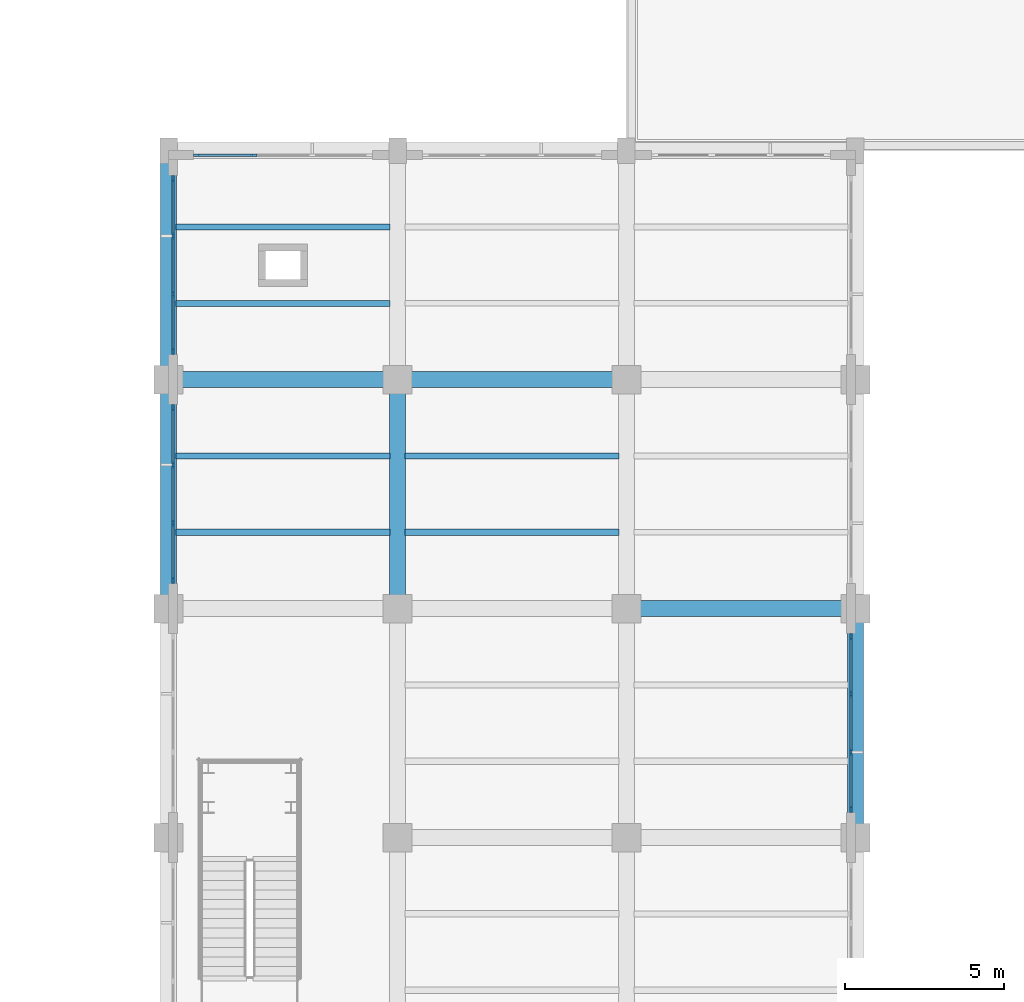
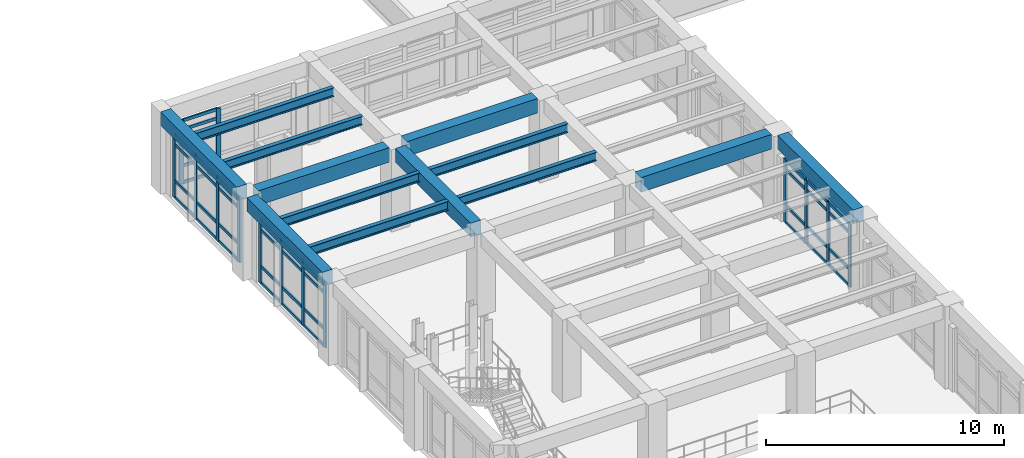
# One storey, part 19 of 69: 54 members, 13 beams, 4 elements without a shape of their own.
"""IFC4 building model written with IfcOpenShell, lengths in metres."""

from ifc_helpers import new_model, si_unit, direction, frame, origin, origin_2d, place, context, subcontext, project, spatial, rectangle, i_section, extrude, material, layer, layer_set, material_profile, profile_set, type_object, element, aggregate, save


model = new_model("IFC4")

# Units and contexts
model_context = context("Model", 3, precision=1e-05, world=origin(), true_north=direction((0.0, 1.0)))
body_context = subcontext(model_context, "Body", "Model", "MODEL_VIEW")
ifc_project = project(units=[si_unit("LENGTHUNIT", "METRE"), si_unit("AREAUNIT", "SQUARE_METRE"), si_unit("VOLUMEUNIT", "CUBIC_METRE"), si_unit("PLANEANGLEUNIT", "RADIAN"), si_unit("MASSUNIT", "GRAM", prefix="KILO")], contexts=[model_context])

# Site, building, storey
site_placement = place(None, origin())
site = spatial("IfcSite", under=ifc_project, at=site_placement, CompositionType="ELEMENT")
building_placement = place(site_placement, origin())
building = spatial("IfcBuilding", under=site, at=building_placement, Name="Solenvale Faculty of Natural Sciences", CompositionType="ELEMENT")
storey_placement = place(building_placement, frame((0.0, 0.0, 4.5)))
storey = spatial("IfcBuildingStorey", under=building, at=storey_placement, Name="L01", CompositionType="ELEMENT", Elevation=4.5)

# Beams
ifc_material_1 = material(Name="Concrete 40 MPa", Category="concrete")
ifc_material_profile_1 = material_profile(ifc_material_1, rectangle(XDim=0.5, YDim=0.699951171875, at=origin_2d()), Name="RC-BM-500x700")
ifc_profile_set_1 = profile_set([ifc_material_profile_1], Name="Concrete 40 MPa")
beam_type_1 = type_object("IfcBeamType", Name="BM-RC-500x700", PredefinedType="BEAM", material=ifc_profile_set_1)
beam_1_placement = place(storey_placement, frame((36.0, 79.6298828125, 3.8701171875), z_axis=(0.0, 1.0, 0.0), x_axis=(-1.0, 0.0, 0.0)))
element("IfcBeam", 1, at=beam_1_placement, inside=storey, type_object=beam_type_1, Name="L01 Y-Girder X36.0 (79.2..86.4)", PredefinedType="BEAM", context=body_context, shape_type="SweptSolid", body=[
    extrude(rectangle(XDim=0.5, YDim=0.699951171875, at=origin_2d()), origin(), (0.0, 0.0, 1.0), 6.340087890625),
])
beam_2_placement = place(storey_placement, frame((36.0, 86.830078125, 3.8701171875), z_axis=(0.0, 1.0, 0.0), x_axis=(-1.0, 0.0, 0.0)))
element("IfcBeam", 2, at=beam_2_placement, inside=storey, type_object=beam_type_1, Name="L01 Y-Girder X36.0 (86.4..93.6)", PredefinedType="BEAM", context=body_context, shape_type="SweptSolid", body=[
    extrude(rectangle(XDim=0.5, YDim=0.699951171875, at=origin_2d()), origin(), (0.0, 0.0, 1.0), 6.389892578125),
])
for number, where, z_axis, x_axis, name in (
    (3, (43.199951171875, 79.6298828125, 3.8701171875), (0.0, 1.0, 0.0), (-1.0, 0.0, 0.0), "L01 Y-Girder X43.2 (79.2..86.4)"),
    (4, (57.60009765625, 72.429931640625, 3.8701171875), (0.0, 1.0, 0.0), (-1.0, 0.0, 0.0), "L01 Y-Girder X57.6 (72.0..79.2)"),
):
    element("IfcBeam", number, at=place(storey_placement, frame(where, z_axis=z_axis, x_axis=x_axis)), inside=storey, type_object=beam_type_1, Name=name, PredefinedType="BEAM", context=body_context, shape_type="SweptSolid", body=[
        extrude(rectangle(XDim=0.5, YDim=0.699951171875, at=origin_2d()), origin(), (0.0, 0.0, 1.0), 6.340087890625),
    ])
ifc_material_profile_2 = material_profile(ifc_material_1, rectangle(XDim=0.5, YDim=0.75, at=origin_2d()), Name="RC-BM-500x750")
ifc_profile_set_2 = profile_set([ifc_material_profile_2], Name="Concrete 40 MPa")
beam_type_2 = type_object("IfcBeamType", Name="BM-RC-500x750", PredefinedType="BEAM", material=ifc_profile_set_2)
beam_3_placement = place(storey_placement, frame((50.830078125, 79.199951171875, 3.844970703125), z_axis=(1.0, 0.0, 0.0), x_axis=(0.0, 1.0, 0.0)))
element("IfcBeam", 5, at=beam_3_placement, inside=storey, type_object=beam_type_2, Name="L01 X-Girder Y79.2 (50.4..57.6)", PredefinedType="BEAM", context=body_context, shape_type="SweptSolid", body=[
    extrude(rectangle(XDim=0.5, YDim=0.75, at=origin_2d()), origin(), (0.0, 0.0, 1.0), 6.33984375),
])
for number, where, z_axis, x_axis, name in (
    (6, (36.429931640625, 86.39990234375, 3.844970703125), (1.0, 0.0, 0.0), (0.0, 1.0, 0.0), "L01 X-Girder Y86.4 (36.0..43.2)"),
    (7, (43.6298828125, 86.39990234375, 3.844970703125), (1.0, 0.0, 0.0), (0.0, 1.0, 0.0), "L01 X-Girder Y86.4 (43.2..50.4)"),
):
    element("IfcBeam", number, at=place(storey_placement, frame(where, z_axis=z_axis, x_axis=x_axis)), inside=storey, type_object=beam_type_2, Name=name, PredefinedType="BEAM", context=body_context, shape_type="SweptSolid", body=[
        extrude(rectangle(XDim=0.5, YDim=0.75, at=origin_2d()), origin(), (0.0, 0.0, 1.0), 6.340087890625),
    ])
ifc_material_2 = material(Name="Steel S355", Category="steel")
ifc_material_profile_3 = material_profile(ifc_material_2, i_section(OverallWidth=0.194091796875, OverallDepth=0.468994140625, WebThickness=0.0126953125, FlangeThickness=0.0205078125, FilletRadius=0.01806640625, at=origin_2d()), Name="W460x106")
ifc_profile_set_3 = profile_set([ifc_material_profile_3], Name="Steel S355")
beam_type_3 = type_object("IfcBeamType", Name="BM-STL-W460x106", PredefinedType="JOIST", material=ifc_profile_set_3)
for number, where, z_axis, x_axis, name in (
    (8, (36.22998046875, 81.60009765625, 3.985595703125), (1.0, 0.0, 0.0), (0.0, 1.0, 0.0), "L01 Composite Floor Joist (6,12).1"),
    (9, (36.22998046875, 84.0, 3.985595703125), (1.0, 0.0, 0.0), (0.0, 1.0, 0.0), "L01 Composite Floor Joist (6,12).2"),
):
    element("IfcBeam", number, at=place(storey_placement, frame(where, z_axis=z_axis, x_axis=x_axis)), inside=storey, type_object=beam_type_3, Name=name, PredefinedType="JOIST", context=body_context, shape_type="SweptSolid", body=[
        extrude(i_section(OverallWidth=0.194091796875, OverallDepth=0.468994140625, WebThickness=0.0126953125, FlangeThickness=0.0205078125, FilletRadius=0.01806640625, at=origin_2d()), origin(), (0.0, 0.0, 1.0), 6.739990234375),
    ])
ifc_material_profile_4 = material_profile(ifc_material_2, i_section(OverallWidth=0.19091796875, OverallDepth=0.4599609375, WebThickness=0.010009765625, FlangeThickness=0.01611328125, FilletRadius=0.01806640625, at=origin_2d()), Name="W460x82")
ifc_profile_set_4 = profile_set([ifc_material_profile_4], Name="Steel S355")
beam_type_4 = type_object("IfcBeamType", Name="BM-STL-W460x82", PredefinedType="JOIST", material=ifc_profile_set_4)
for number, where, z_axis, x_axis, name in (
    (10, (36.22998046875, 88.800048828125, 3.989990234375), (1.0, 0.0, 0.0), (0.0, 1.0, 0.0), "L01 Composite Floor Joist (6,13).1"),
    (11, (36.22998046875, 91.199951171875, 3.989990234375), (1.0, 0.0, 0.0), (0.0, 1.0, 0.0), "L01 Composite Floor Joist (6,13).2"),
    (12, (43.429931640625, 81.60009765625, 3.989990234375), (1.0, 0.0, 0.0), (0.0, 1.0, 0.0), "L01 Composite Floor Joist (7,12).1"),
    (13, (43.429931640625, 84.0, 3.989990234375), (1.0, 0.0, 0.0), (0.0, 1.0, 0.0), "L01 Composite Floor Joist (7,12).2"),
):
    element("IfcBeam", number, at=place(storey_placement, frame(where, z_axis=z_axis, x_axis=x_axis)), inside=storey, type_object=beam_type_4, Name=name, PredefinedType="JOIST", context=body_context, shape_type="SweptSolid", body=[
        extrude(i_section(OverallWidth=0.19091796875, OverallDepth=0.4599609375, WebThickness=0.010009765625, FlangeThickness=0.01611328125, FilletRadius=0.01806640625, at=origin_2d()), origin(), (0.0, 0.0, 1.0), 6.739990234375),
    ])

# Curtain wall, members
ifc_material_3 = material(Name="Anodised bronze aluminium", Category="aluminium")
ifc_layer = layer(ifc_material_3, 0.215087890625)
ifc_layer_set = layer_set([ifc_layer], Name="Anodised bronze aluminium")
curtain_wall_type = type_object("IfcCurtainWallType", Name="CW-ATR-UNIT", PredefinedType="USERDEFINED", material=ifc_layer_set)
curtain_wall_1_placement = place(storey_placement, origin())
curtain_wall_1 = element("IfcCurtainWall", 14, at=curtain_wall_1_placement, inside=storey, type_object=curtain_wall_type, Name="L01 Curtain Wall CW-L01-P1-E12-B5", ObjectType="UNITISED CURTAIN WALL", PredefinedType="USERDEFINED")
ifc_material_profile_5 = material_profile(ifc_material_3, rectangle(XDim=0.074951171875, YDim=0.2099609375, at=origin_2d()), Name="ALU-MUL-75x210")
ifc_profile_set_5 = profile_set([ifc_material_profile_5], Name="Anodised bronze aluminium")
member_type_1 = type_object("IfcMemberType", Name="CWM-ALU-75x210", PredefinedType="MULLION", material=ifc_profile_set_5)
member_1_placement = place(storey_placement, frame((57.45751953125, 72.887451171875, 0.0), z_axis=(0.0, 0.0, 1.0), x_axis=(-1.0, 0.0, 0.0)))
member_1 = element("IfcMember", 15, at=member_1_placement, type_object=member_type_1, Name="CW-01 mullion 1", PredefinedType="MULLION", context=body_context, shape_type="SweptSolid", body=[
    extrude(rectangle(XDim=0.074951171875, YDim=0.2099609375, at=origin_2d()), origin(), (0.0, 0.0, 1.0), 3.260009765625),
])
member_2_placement = place(storey_placement, frame((57.45751953125, 74.683349609375, 0.0), z_axis=(0.0, 0.0, 1.0), x_axis=(-1.0, 0.0, 0.0)))
member_2 = element("IfcMember", 16, at=member_2_placement, type_object=member_type_1, Name="CW-01 mullion 2", PredefinedType="MULLION", context=body_context, shape_type="SweptSolid", body=[
    extrude(rectangle(XDim=0.074951171875, YDim=0.2099609375, at=origin_2d()), origin(), (0.0, 0.0, 1.0), 3.260009765625),
])
member_3_placement = place(storey_placement, frame((57.45751953125, 76.5166015625, 0.0), z_axis=(0.0, 0.0, 1.0), x_axis=(-1.0, 0.0, 0.0)))
member_3 = element("IfcMember", 17, at=member_3_placement, type_object=member_type_1, Name="CW-01 mullion 3", PredefinedType="MULLION", context=body_context, shape_type="SweptSolid", body=[
    extrude(rectangle(XDim=0.074951171875, YDim=0.2099609375, at=origin_2d()), origin(), (0.0, 0.0, 1.0), 3.260009765625),
])
member_4_placement = place(storey_placement, frame((57.45751953125, 78.3125, 0.0), z_axis=(0.0, 0.0, 1.0), x_axis=(-1.0, 0.0, 0.0)))
member_4 = element("IfcMember", 18, at=member_4_placement, type_object=member_type_1, Name="CW-01 mullion 4", PredefinedType="MULLION", context=body_context, shape_type="SweptSolid", body=[
    extrude(rectangle(XDim=0.074951171875, YDim=0.2099609375, at=origin_2d()), origin(), (0.0, 0.0, 1.0), 3.260009765625),
])

curtain_wall_2_placement = place(storey_placement, origin())
curtain_wall_2 = element("IfcCurtainWall", 19, at=curtain_wall_2_placement, inside=storey, type_object=curtain_wall_type, Name="L01 Curtain Wall CW-L01-P1-E13-B3", ObjectType="UNITISED CURTAIN WALL", PredefinedType="USERDEFINED")
member_5_placement = place(storey_placement, frame((38.683349609375, 93.45751953125, 0.0), z_axis=(0.0, 0.0, 1.0), x_axis=(0.0, -1.0, 0.0)))
member_5 = element("IfcMember", 20, at=member_5_placement, type_object=member_type_1, Name="CW-01 mullion 3", PredefinedType="MULLION", context=body_context, shape_type="SweptSolid", body=[
    extrude(rectangle(XDim=0.074951171875, YDim=0.2099609375, at=origin_2d()), origin(), (0.0, 0.0, 1.0), 3.260009765625),
])
member_6_placement = place(storey_placement, frame((36.887451171875, 93.45751953125, 0.0), z_axis=(0.0, 0.0, 1.0), x_axis=(0.0, -1.0, 0.0)))
member_6 = element("IfcMember", 21, at=member_6_placement, type_object=member_type_1, Name="CW-01 mullion 4", PredefinedType="MULLION", context=body_context, shape_type="SweptSolid", body=[
    extrude(rectangle(XDim=0.074951171875, YDim=0.2099609375, at=origin_2d()), origin(), (0.0, 0.0, 1.0), 3.260009765625),
])

curtain_wall_3_placement = place(storey_placement, origin())
curtain_wall_3 = element("IfcCurtainWall", 22, at=curtain_wall_3_placement, inside=storey, type_object=curtain_wall_type, Name="L01 Curtain Wall CW-L01-P1-E14-B1", ObjectType="UNITISED CURTAIN WALL", PredefinedType="USERDEFINED")
member_7_placement = place(storey_placement, frame((36.142578125, 92.71240234375, 0.0), z_axis=(0.0, 0.0, 1.0), x_axis=(1.0, 0.0, 0.0)))
member_7 = element("IfcMember", 23, at=member_7_placement, type_object=member_type_1, Name="CW-01 mullion 1", PredefinedType="MULLION", context=body_context, shape_type="SweptSolid", body=[
    extrude(rectangle(XDim=0.074951171875, YDim=0.2099609375, at=origin_2d()), origin(), (0.0, 0.0, 1.0), 3.260009765625),
])
member_8_placement = place(storey_placement, frame((36.142578125, 90.916748046875, 0.0), z_axis=(0.0, 0.0, 1.0), x_axis=(1.0, 0.0, 0.0)))
member_8 = element("IfcMember", 24, at=member_8_placement, type_object=member_type_1, Name="CW-01 mullion 2", PredefinedType="MULLION", context=body_context, shape_type="SweptSolid", body=[
    extrude(rectangle(XDim=0.074951171875, YDim=0.2099609375, at=origin_2d()), origin(), (0.0, 0.0, 1.0), 3.260009765625),
])
member_9_placement = place(storey_placement, frame((36.142578125, 89.083251953125, 0.0), z_axis=(0.0, 0.0, 1.0), x_axis=(1.0, 0.0, 0.0)))
member_9 = element("IfcMember", 25, at=member_9_placement, type_object=member_type_1, Name="CW-01 mullion 3", PredefinedType="MULLION", context=body_context, shape_type="SweptSolid", body=[
    extrude(rectangle(XDim=0.074951171875, YDim=0.2099609375, at=origin_2d()), origin(), (0.0, 0.0, 1.0), 3.260009765625),
])
member_10_placement = place(storey_placement, frame((36.142578125, 87.28759765625, 0.0), z_axis=(0.0, 0.0, 1.0), x_axis=(1.0, 0.0, 0.0)))
member_10 = element("IfcMember", 26, at=member_10_placement, type_object=member_type_1, Name="CW-01 mullion 4", PredefinedType="MULLION", context=body_context, shape_type="SweptSolid", body=[
    extrude(rectangle(XDim=0.074951171875, YDim=0.2099609375, at=origin_2d()), origin(), (0.0, 0.0, 1.0), 3.260009765625),
])

curtain_wall_4_placement = place(storey_placement, origin())
curtain_wall_4 = element("IfcCurtainWall", 27, at=curtain_wall_4_placement, inside=storey, type_object=curtain_wall_type, Name="L01 Curtain Wall CW-L01-P1-E14-B2", ObjectType="UNITISED CURTAIN WALL", PredefinedType="USERDEFINED")
member_11_placement = place(storey_placement, frame((36.142578125, 85.512451171875, 0.0), z_axis=(0.0, 0.0, 1.0), x_axis=(1.0, 0.0, 0.0)))
member_11 = element("IfcMember", 28, at=member_11_placement, type_object=member_type_1, Name="CW-01 mullion 1", PredefinedType="MULLION", context=body_context, shape_type="SweptSolid", body=[
    extrude(rectangle(XDim=0.074951171875, YDim=0.2099609375, at=origin_2d()), origin(), (0.0, 0.0, 1.0), 3.260009765625),
])
member_12_placement = place(storey_placement, frame((36.142578125, 83.716552734375, 0.0), z_axis=(0.0, 0.0, 1.0), x_axis=(1.0, 0.0, 0.0)))
member_12 = element("IfcMember", 29, at=member_12_placement, type_object=member_type_1, Name="CW-01 mullion 2", PredefinedType="MULLION", context=body_context, shape_type="SweptSolid", body=[
    extrude(rectangle(XDim=0.074951171875, YDim=0.2099609375, at=origin_2d()), origin(), (0.0, 0.0, 1.0), 3.260009765625),
])
member_13_placement = place(storey_placement, frame((36.142578125, 81.88330078125, 0.0), z_axis=(0.0, 0.0, 1.0), x_axis=(1.0, 0.0, 0.0)))
member_13 = element("IfcMember", 30, at=member_13_placement, type_object=member_type_1, Name="CW-01 mullion 3", PredefinedType="MULLION", context=body_context, shape_type="SweptSolid", body=[
    extrude(rectangle(XDim=0.074951171875, YDim=0.2099609375, at=origin_2d()), origin(), (0.0, 0.0, 1.0), 3.260009765625),
])
member_14_placement = place(storey_placement, frame((36.142578125, 80.08740234375, 0.0), z_axis=(0.0, 0.0, 1.0), x_axis=(1.0, 0.0, 0.0)))
member_14 = element("IfcMember", 31, at=member_14_placement, type_object=member_type_1, Name="CW-01 mullion 4", PredefinedType="MULLION", context=body_context, shape_type="SweptSolid", body=[
    extrude(rectangle(XDim=0.074951171875, YDim=0.2099609375, at=origin_2d()), origin(), (0.0, 0.0, 1.0), 3.260009765625),
])

# Member
ifc_material_profile_6 = material_profile(ifc_material_3, rectangle(XDim=0.074951171875, YDim=0.155029296875, at=origin_2d()), Name="ALU-TRN-75x155")
ifc_profile_set_6 = profile_set([ifc_material_profile_6], Name="Anodised bronze aluminium")
member_type_2 = type_object("IfcMemberType", Name="CWT-ALU-75x155", PredefinedType="USERDEFINED", material=ifc_profile_set_6)
member_15_placement = place(storey_placement, frame((57.45751953125, 72.925048828125, 0.03759765625), z_axis=(0.0, 1.0, 0.0), x_axis=(-1.0, 0.0, 0.0)))
member_15 = element("IfcMember", 32, at=member_15_placement, type_object=member_type_2, Name="CW-01 transom 1.1", ObjectType="TRANSOM", PredefinedType="USERDEFINED", context=body_context, shape_type="SweptSolid", body=[
    extrude(rectangle(XDim=0.074951171875, YDim=0.155029296875, at=origin_2d()), origin(), (0.0, 0.0, 1.0), 1.720703125),
])

member_16_placement = place(storey_placement, frame((57.45751953125, 72.925048828125, 0.89990234375), z_axis=(0.0, 1.0, 0.0), x_axis=(-1.0, 0.0, 0.0)))
member_16 = element("IfcMember", 33, at=member_16_placement, type_object=member_type_2, Name="CW-01 transom 1.2", ObjectType="TRANSOM", PredefinedType="USERDEFINED", context=body_context, shape_type="SweptSolid", body=[
    extrude(rectangle(XDim=0.074951171875, YDim=0.155029296875, at=origin_2d()), origin(), (0.0, 0.0, 1.0), 1.720703125),
])

member_17_placement = place(storey_placement, frame((57.45751953125, 72.925048828125, 2.760009765625), z_axis=(0.0, 1.0, 0.0), x_axis=(-1.0, 0.0, 0.0)))
member_17 = element("IfcMember", 34, at=member_17_placement, type_object=member_type_2, Name="CW-01 transom 1.3", ObjectType="TRANSOM", PredefinedType="USERDEFINED", context=body_context, shape_type="SweptSolid", body=[
    extrude(rectangle(XDim=0.074951171875, YDim=0.155029296875, at=origin_2d()), origin(), (0.0, 0.0, 1.0), 1.720703125),
])

member_18_placement = place(storey_placement, frame((57.45751953125, 72.925048828125, 3.222412109375), z_axis=(0.0, 1.0, 0.0), x_axis=(-1.0, 0.0, 0.0)))
member_18 = element("IfcMember", 35, at=member_18_placement, type_object=member_type_2, Name="CW-01 transom 1.4", ObjectType="TRANSOM", PredefinedType="USERDEFINED", context=body_context, shape_type="SweptSolid", body=[
    extrude(rectangle(XDim=0.074951171875, YDim=0.155029296875, at=origin_2d()), origin(), (0.0, 0.0, 1.0), 1.720703125),
])

member_19_placement = place(storey_placement, frame((57.45751953125, 74.720947265625, 0.03759765625), z_axis=(0.0, 1.0, 0.0), x_axis=(-1.0, 0.0, 0.0)))
member_19 = element("IfcMember", 36, at=member_19_placement, type_object=member_type_2, Name="CW-01 transom 2.1", ObjectType="TRANSOM", PredefinedType="USERDEFINED", context=body_context, shape_type="SweptSolid", body=[
    extrude(rectangle(XDim=0.074951171875, YDim=0.155029296875, at=origin_2d()), origin(), (0.0, 0.0, 1.0), 1.75830078125),
])

member_20_placement = place(storey_placement, frame((57.45751953125, 74.720947265625, 0.89990234375), z_axis=(0.0, 1.0, 0.0), x_axis=(-1.0, 0.0, 0.0)))
member_20 = element("IfcMember", 37, at=member_20_placement, type_object=member_type_2, Name="CW-01 transom 2.2", ObjectType="TRANSOM", PredefinedType="USERDEFINED", context=body_context, shape_type="SweptSolid", body=[
    extrude(rectangle(XDim=0.074951171875, YDim=0.155029296875, at=origin_2d()), origin(), (0.0, 0.0, 1.0), 1.75830078125),
])

member_21_placement = place(storey_placement, frame((57.45751953125, 74.720947265625, 2.760009765625), z_axis=(0.0, 1.0, 0.0), x_axis=(-1.0, 0.0, 0.0)))
member_21 = element("IfcMember", 38, at=member_21_placement, type_object=member_type_2, Name="CW-01 transom 2.3", ObjectType="TRANSOM", PredefinedType="USERDEFINED", context=body_context, shape_type="SweptSolid", body=[
    extrude(rectangle(XDim=0.074951171875, YDim=0.155029296875, at=origin_2d()), origin(), (0.0, 0.0, 1.0), 1.75830078125),
])

member_22_placement = place(storey_placement, frame((57.45751953125, 74.720947265625, 3.222412109375), z_axis=(0.0, 1.0, 0.0), x_axis=(-1.0, 0.0, 0.0)))
member_22 = element("IfcMember", 39, at=member_22_placement, type_object=member_type_2, Name="CW-01 transom 2.4", ObjectType="TRANSOM", PredefinedType="USERDEFINED", context=body_context, shape_type="SweptSolid", body=[
    extrude(rectangle(XDim=0.074951171875, YDim=0.155029296875, at=origin_2d()), origin(), (0.0, 0.0, 1.0), 1.75830078125),
])

member_23_placement = place(storey_placement, frame((57.45751953125, 76.55419921875, 0.03759765625), z_axis=(0.0, 1.0, 0.0), x_axis=(-1.0, 0.0, 0.0)))
member_23 = element("IfcMember", 40, at=member_23_placement, type_object=member_type_2, Name="CW-01 transom 3.1", ObjectType="TRANSOM", PredefinedType="USERDEFINED", context=body_context, shape_type="SweptSolid", body=[
    extrude(rectangle(XDim=0.074951171875, YDim=0.155029296875, at=origin_2d()), origin(), (0.0, 0.0, 1.0), 1.720703125),
])

member_24_placement = place(storey_placement, frame((57.45751953125, 76.55419921875, 0.89990234375), z_axis=(0.0, 1.0, 0.0), x_axis=(-1.0, 0.0, 0.0)))
member_24 = element("IfcMember", 41, at=member_24_placement, type_object=member_type_2, Name="CW-01 transom 3.2", ObjectType="TRANSOM", PredefinedType="USERDEFINED", context=body_context, shape_type="SweptSolid", body=[
    extrude(rectangle(XDim=0.074951171875, YDim=0.155029296875, at=origin_2d()), origin(), (0.0, 0.0, 1.0), 1.720703125),
])

member_25_placement = place(storey_placement, frame((57.45751953125, 76.55419921875, 2.760009765625), z_axis=(0.0, 1.0, 0.0), x_axis=(-1.0, 0.0, 0.0)))
member_25 = element("IfcMember", 42, at=member_25_placement, type_object=member_type_2, Name="CW-01 transom 3.3", ObjectType="TRANSOM", PredefinedType="USERDEFINED", context=body_context, shape_type="SweptSolid", body=[
    extrude(rectangle(XDim=0.074951171875, YDim=0.155029296875, at=origin_2d()), origin(), (0.0, 0.0, 1.0), 1.720703125),
])

member_26_placement = place(storey_placement, frame((57.45751953125, 76.55419921875, 3.222412109375), z_axis=(0.0, 1.0, 0.0), x_axis=(-1.0, 0.0, 0.0)))
member_26 = element("IfcMember", 43, at=member_26_placement, type_object=member_type_2, Name="CW-01 transom 3.4", ObjectType="TRANSOM", PredefinedType="USERDEFINED", context=body_context, shape_type="SweptSolid", body=[
    extrude(rectangle(XDim=0.074951171875, YDim=0.155029296875, at=origin_2d()), origin(), (0.0, 0.0, 1.0), 1.720703125),
])

aggregate(curtain_wall_1, [member_1, member_2, member_3, member_4, member_15, member_16, member_17, member_18, member_19, member_20, member_21, member_22, member_23, member_24, member_25, member_26])

member_27_placement = place(storey_placement, frame((38.645751953125, 93.45751953125, 0.03759765625), z_axis=(-1.0, 0.0, 0.0), x_axis=(0.0, -1.0, 0.0)))
member_27 = element("IfcMember", 44, at=member_27_placement, type_object=member_type_2, Name="CW-01 transom 3.1", ObjectType="TRANSOM", PredefinedType="USERDEFINED", context=body_context, shape_type="SweptSolid", body=[
    extrude(rectangle(XDim=0.074951171875, YDim=0.155029296875, at=origin_2d()), origin(), (0.0, 0.0, 1.0), 1.720703125),
])

member_28_placement = place(storey_placement, frame((38.645751953125, 93.45751953125, 0.89990234375), z_axis=(-1.0, 0.0, 0.0), x_axis=(0.0, -1.0, 0.0)))
member_28 = element("IfcMember", 45, at=member_28_placement, type_object=member_type_2, Name="CW-01 transom 3.2", ObjectType="TRANSOM", PredefinedType="USERDEFINED", context=body_context, shape_type="SweptSolid", body=[
    extrude(rectangle(XDim=0.074951171875, YDim=0.155029296875, at=origin_2d()), origin(), (0.0, 0.0, 1.0), 1.720703125),
])

member_29_placement = place(storey_placement, frame((38.645751953125, 93.45751953125, 2.760009765625), z_axis=(-1.0, 0.0, 0.0), x_axis=(0.0, -1.0, 0.0)))
member_29 = element("IfcMember", 46, at=member_29_placement, type_object=member_type_2, Name="CW-01 transom 3.3", ObjectType="TRANSOM", PredefinedType="USERDEFINED", context=body_context, shape_type="SweptSolid", body=[
    extrude(rectangle(XDim=0.074951171875, YDim=0.155029296875, at=origin_2d()), origin(), (0.0, 0.0, 1.0), 1.720703125),
])

member_30_placement = place(storey_placement, frame((38.645751953125, 93.45751953125, 3.222412109375), z_axis=(-1.0, 0.0, 0.0), x_axis=(0.0, -1.0, 0.0)))
member_30 = element("IfcMember", 47, at=member_30_placement, type_object=member_type_2, Name="CW-01 transom 3.4", ObjectType="TRANSOM", PredefinedType="USERDEFINED", context=body_context, shape_type="SweptSolid", body=[
    extrude(rectangle(XDim=0.074951171875, YDim=0.155029296875, at=origin_2d()), origin(), (0.0, 0.0, 1.0), 1.720703125),
])

aggregate(curtain_wall_2, [member_5, member_6, member_27, member_28, member_29, member_30])

member_31_placement = place(storey_placement, frame((36.142578125, 92.675048828125, 0.03759765625), z_axis=(0.0, -1.0, 0.0), x_axis=(1.0, 0.0, 0.0)))
member_31 = element("IfcMember", 48, at=member_31_placement, type_object=member_type_2, Name="CW-01 transom 1.1", ObjectType="TRANSOM", PredefinedType="USERDEFINED", context=body_context, shape_type="SweptSolid", body=[
    extrude(rectangle(XDim=0.074951171875, YDim=0.155029296875, at=origin_2d()), origin(), (0.0, 0.0, 1.0), 1.720947265625),
])

member_32_placement = place(storey_placement, frame((36.142578125, 92.675048828125, 0.89990234375), z_axis=(0.0, -1.0, 0.0), x_axis=(1.0, 0.0, 0.0)))
member_32 = element("IfcMember", 49, at=member_32_placement, type_object=member_type_2, Name="CW-01 transom 1.2", ObjectType="TRANSOM", PredefinedType="USERDEFINED", context=body_context, shape_type="SweptSolid", body=[
    extrude(rectangle(XDim=0.074951171875, YDim=0.155029296875, at=origin_2d()), origin(), (0.0, 0.0, 1.0), 1.720947265625),
])

member_33_placement = place(storey_placement, frame((36.142578125, 92.675048828125, 2.760009765625), z_axis=(0.0, -1.0, 0.0), x_axis=(1.0, 0.0, 0.0)))
member_33 = element("IfcMember", 50, at=member_33_placement, type_object=member_type_2, Name="CW-01 transom 1.3", ObjectType="TRANSOM", PredefinedType="USERDEFINED", context=body_context, shape_type="SweptSolid", body=[
    extrude(rectangle(XDim=0.074951171875, YDim=0.155029296875, at=origin_2d()), origin(), (0.0, 0.0, 1.0), 1.720947265625),
])

member_34_placement = place(storey_placement, frame((36.142578125, 92.675048828125, 3.222412109375), z_axis=(0.0, -1.0, 0.0), x_axis=(1.0, 0.0, 0.0)))
member_34 = element("IfcMember", 51, at=member_34_placement, type_object=member_type_2, Name="CW-01 transom 1.4", ObjectType="TRANSOM", PredefinedType="USERDEFINED", context=body_context, shape_type="SweptSolid", body=[
    extrude(rectangle(XDim=0.074951171875, YDim=0.155029296875, at=origin_2d()), origin(), (0.0, 0.0, 1.0), 1.720947265625),
])

member_35_placement = place(storey_placement, frame((36.142578125, 90.879150390625, 0.03759765625), z_axis=(0.0, -1.0, 0.0), x_axis=(1.0, 0.0, 0.0)))
member_35 = element("IfcMember", 52, at=member_35_placement, type_object=member_type_2, Name="CW-01 transom 2.1", ObjectType="TRANSOM", PredefinedType="USERDEFINED", context=body_context, shape_type="SweptSolid", body=[
    extrude(rectangle(XDim=0.074951171875, YDim=0.155029296875, at=origin_2d()), origin(), (0.0, 0.0, 1.0), 1.75830078125),
])

member_36_placement = place(storey_placement, frame((36.142578125, 90.879150390625, 0.89990234375), z_axis=(0.0, -1.0, 0.0), x_axis=(1.0, 0.0, 0.0)))
member_36 = element("IfcMember", 53, at=member_36_placement, type_object=member_type_2, Name="CW-01 transom 2.2", ObjectType="TRANSOM", PredefinedType="USERDEFINED", context=body_context, shape_type="SweptSolid", body=[
    extrude(rectangle(XDim=0.074951171875, YDim=0.155029296875, at=origin_2d()), origin(), (0.0, 0.0, 1.0), 1.75830078125),
])

member_37_placement = place(storey_placement, frame((36.142578125, 90.879150390625, 2.760009765625), z_axis=(0.0, -1.0, 0.0), x_axis=(1.0, 0.0, 0.0)))
member_37 = element("IfcMember", 54, at=member_37_placement, type_object=member_type_2, Name="CW-01 transom 2.3", ObjectType="TRANSOM", PredefinedType="USERDEFINED", context=body_context, shape_type="SweptSolid", body=[
    extrude(rectangle(XDim=0.074951171875, YDim=0.155029296875, at=origin_2d()), origin(), (0.0, 0.0, 1.0), 1.75830078125),
])

member_38_placement = place(storey_placement, frame((36.142578125, 90.879150390625, 3.222412109375), z_axis=(0.0, -1.0, 0.0), x_axis=(1.0, 0.0, 0.0)))
member_38 = element("IfcMember", 55, at=member_38_placement, type_object=member_type_2, Name="CW-01 transom 2.4", ObjectType="TRANSOM", PredefinedType="USERDEFINED", context=body_context, shape_type="SweptSolid", body=[
    extrude(rectangle(XDim=0.074951171875, YDim=0.155029296875, at=origin_2d()), origin(), (0.0, 0.0, 1.0), 1.75830078125),
])

member_39_placement = place(storey_placement, frame((36.142578125, 89.0458984375, 0.03759765625), z_axis=(0.0, -1.0, 0.0), x_axis=(1.0, 0.0, 0.0)))
member_39 = element("IfcMember", 56, at=member_39_placement, type_object=member_type_2, Name="CW-01 transom 3.1", ObjectType="TRANSOM", PredefinedType="USERDEFINED", context=body_context, shape_type="SweptSolid", body=[
    extrude(rectangle(XDim=0.074951171875, YDim=0.155029296875, at=origin_2d()), origin(), (0.0, 0.0, 1.0), 1.720947265625),
])

member_40_placement = place(storey_placement, frame((36.142578125, 89.0458984375, 0.89990234375), z_axis=(0.0, -1.0, 0.0), x_axis=(1.0, 0.0, 0.0)))
member_40 = element("IfcMember", 57, at=member_40_placement, type_object=member_type_2, Name="CW-01 transom 3.2", ObjectType="TRANSOM", PredefinedType="USERDEFINED", context=body_context, shape_type="SweptSolid", body=[
    extrude(rectangle(XDim=0.074951171875, YDim=0.155029296875, at=origin_2d()), origin(), (0.0, 0.0, 1.0), 1.720947265625),
])

member_41_placement = place(storey_placement, frame((36.142578125, 89.0458984375, 2.760009765625), z_axis=(0.0, -1.0, 0.0), x_axis=(1.0, 0.0, 0.0)))
member_41 = element("IfcMember", 58, at=member_41_placement, type_object=member_type_2, Name="CW-01 transom 3.3", ObjectType="TRANSOM", PredefinedType="USERDEFINED", context=body_context, shape_type="SweptSolid", body=[
    extrude(rectangle(XDim=0.074951171875, YDim=0.155029296875, at=origin_2d()), origin(), (0.0, 0.0, 1.0), 1.720947265625),
])

member_42_placement = place(storey_placement, frame((36.142578125, 89.0458984375, 3.222412109375), z_axis=(0.0, -1.0, 0.0), x_axis=(1.0, 0.0, 0.0)))
member_42 = element("IfcMember", 59, at=member_42_placement, type_object=member_type_2, Name="CW-01 transom 3.4", ObjectType="TRANSOM", PredefinedType="USERDEFINED", context=body_context, shape_type="SweptSolid", body=[
    extrude(rectangle(XDim=0.074951171875, YDim=0.155029296875, at=origin_2d()), origin(), (0.0, 0.0, 1.0), 1.720947265625),
])

aggregate(curtain_wall_3, [member_7, member_8, member_9, member_10, member_31, member_32, member_33, member_34, member_35, member_36, member_37, member_38, member_39, member_40, member_41, member_42])

member_43_placement = place(storey_placement, frame((36.142578125, 85.47509765625, 0.03759765625), z_axis=(0.0, -1.0, 0.0), x_axis=(1.0, 0.0, 0.0)))
member_43 = element("IfcMember", 60, at=member_43_placement, type_object=member_type_2, Name="CW-01 transom 1.1", ObjectType="TRANSOM", PredefinedType="USERDEFINED", context=body_context, shape_type="SweptSolid", body=[
    extrude(rectangle(XDim=0.074951171875, YDim=0.155029296875, at=origin_2d()), origin(), (0.0, 0.0, 1.0), 1.720947265625),
])

member_44_placement = place(storey_placement, frame((36.142578125, 85.47509765625, 0.89990234375), z_axis=(0.0, -1.0, 0.0), x_axis=(1.0, 0.0, 0.0)))
member_44 = element("IfcMember", 61, at=member_44_placement, type_object=member_type_2, Name="CW-01 transom 1.2", ObjectType="TRANSOM", PredefinedType="USERDEFINED", context=body_context, shape_type="SweptSolid", body=[
    extrude(rectangle(XDim=0.074951171875, YDim=0.155029296875, at=origin_2d()), origin(), (0.0, 0.0, 1.0), 1.720947265625),
])

member_45_placement = place(storey_placement, frame((36.142578125, 85.47509765625, 2.760009765625), z_axis=(0.0, -1.0, 0.0), x_axis=(1.0, 0.0, 0.0)))
member_45 = element("IfcMember", 62, at=member_45_placement, type_object=member_type_2, Name="CW-01 transom 1.3", ObjectType="TRANSOM", PredefinedType="USERDEFINED", context=body_context, shape_type="SweptSolid", body=[
    extrude(rectangle(XDim=0.074951171875, YDim=0.155029296875, at=origin_2d()), origin(), (0.0, 0.0, 1.0), 1.720947265625),
])

member_46_placement = place(storey_placement, frame((36.142578125, 85.47509765625, 3.222412109375), z_axis=(0.0, -1.0, 0.0), x_axis=(1.0, 0.0, 0.0)))
member_46 = element("IfcMember", 63, at=member_46_placement, type_object=member_type_2, Name="CW-01 transom 1.4", ObjectType="TRANSOM", PredefinedType="USERDEFINED", context=body_context, shape_type="SweptSolid", body=[
    extrude(rectangle(XDim=0.074951171875, YDim=0.155029296875, at=origin_2d()), origin(), (0.0, 0.0, 1.0), 1.720947265625),
])

member_47_placement = place(storey_placement, frame((36.142578125, 83.67919921875, 0.03759765625), z_axis=(0.0, -1.0, 0.0), x_axis=(1.0, 0.0, 0.0)))
member_47 = element("IfcMember", 64, at=member_47_placement, type_object=member_type_2, Name="CW-01 transom 2.1", ObjectType="TRANSOM", PredefinedType="USERDEFINED", context=body_context, shape_type="SweptSolid", body=[
    extrude(rectangle(XDim=0.074951171875, YDim=0.155029296875, at=origin_2d()), origin(), (0.0, 0.0, 1.0), 1.75830078125),
])

member_48_placement = place(storey_placement, frame((36.142578125, 83.67919921875, 0.89990234375), z_axis=(0.0, -1.0, 0.0), x_axis=(1.0, 0.0, 0.0)))
member_48 = element("IfcMember", 65, at=member_48_placement, type_object=member_type_2, Name="CW-01 transom 2.2", ObjectType="TRANSOM", PredefinedType="USERDEFINED", context=body_context, shape_type="SweptSolid", body=[
    extrude(rectangle(XDim=0.074951171875, YDim=0.155029296875, at=origin_2d()), origin(), (0.0, 0.0, 1.0), 1.75830078125),
])

member_49_placement = place(storey_placement, frame((36.142578125, 83.67919921875, 2.760009765625), z_axis=(0.0, -1.0, 0.0), x_axis=(1.0, 0.0, 0.0)))
member_49 = element("IfcMember", 66, at=member_49_placement, type_object=member_type_2, Name="CW-01 transom 2.3", ObjectType="TRANSOM", PredefinedType="USERDEFINED", context=body_context, shape_type="SweptSolid", body=[
    extrude(rectangle(XDim=0.074951171875, YDim=0.155029296875, at=origin_2d()), origin(), (0.0, 0.0, 1.0), 1.75830078125),
])

member_50_placement = place(storey_placement, frame((36.142578125, 83.67919921875, 3.222412109375), z_axis=(0.0, -1.0, 0.0), x_axis=(1.0, 0.0, 0.0)))
member_50 = element("IfcMember", 67, at=member_50_placement, type_object=member_type_2, Name="CW-01 transom 2.4", ObjectType="TRANSOM", PredefinedType="USERDEFINED", context=body_context, shape_type="SweptSolid", body=[
    extrude(rectangle(XDim=0.074951171875, YDim=0.155029296875, at=origin_2d()), origin(), (0.0, 0.0, 1.0), 1.75830078125),
])

member_51_placement = place(storey_placement, frame((36.142578125, 81.845947265625, 0.03759765625), z_axis=(0.0, -1.0, 0.0), x_axis=(1.0, 0.0, 0.0)))
member_51 = element("IfcMember", 68, at=member_51_placement, type_object=member_type_2, Name="CW-01 transom 3.1", ObjectType="TRANSOM", PredefinedType="USERDEFINED", context=body_context, shape_type="SweptSolid", body=[
    extrude(rectangle(XDim=0.074951171875, YDim=0.155029296875, at=origin_2d()), origin(), (0.0, 0.0, 1.0), 1.720947265625),
])

member_52_placement = place(storey_placement, frame((36.142578125, 81.845947265625, 0.89990234375), z_axis=(0.0, -1.0, 0.0), x_axis=(1.0, 0.0, 0.0)))
member_52 = element("IfcMember", 69, at=member_52_placement, type_object=member_type_2, Name="CW-01 transom 3.2", ObjectType="TRANSOM", PredefinedType="USERDEFINED", context=body_context, shape_type="SweptSolid", body=[
    extrude(rectangle(XDim=0.074951171875, YDim=0.155029296875, at=origin_2d()), origin(), (0.0, 0.0, 1.0), 1.720947265625),
])

member_53_placement = place(storey_placement, frame((36.142578125, 81.845947265625, 2.760009765625), z_axis=(0.0, -1.0, 0.0), x_axis=(1.0, 0.0, 0.0)))
member_53 = element("IfcMember", 70, at=member_53_placement, type_object=member_type_2, Name="CW-01 transom 3.3", ObjectType="TRANSOM", PredefinedType="USERDEFINED", context=body_context, shape_type="SweptSolid", body=[
    extrude(rectangle(XDim=0.074951171875, YDim=0.155029296875, at=origin_2d()), origin(), (0.0, 0.0, 1.0), 1.720947265625),
])

member_54_placement = place(storey_placement, frame((36.142578125, 81.845947265625, 3.222412109375), z_axis=(0.0, -1.0, 0.0), x_axis=(1.0, 0.0, 0.0)))
member_54 = element("IfcMember", 71, at=member_54_placement, type_object=member_type_2, Name="CW-01 transom 3.4", ObjectType="TRANSOM", PredefinedType="USERDEFINED", context=body_context, shape_type="SweptSolid", body=[
    extrude(rectangle(XDim=0.074951171875, YDim=0.155029296875, at=origin_2d()), origin(), (0.0, 0.0, 1.0), 1.720947265625),
])

aggregate(curtain_wall_4, [member_11, member_12, member_13, member_14, member_43, member_44, member_45, member_46, member_47, member_48, member_49, member_50, member_51, member_52, member_53, member_54])

save(model, "model.ifc")
